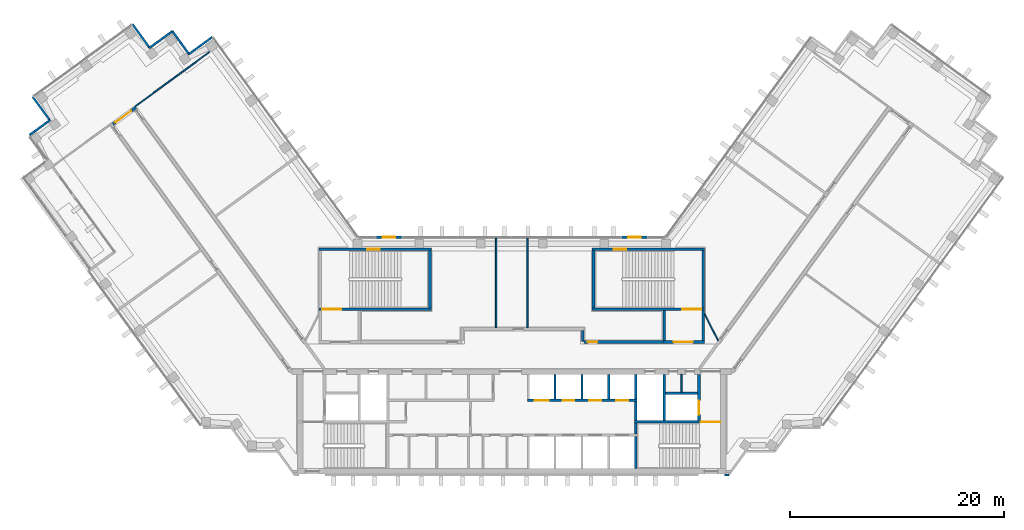
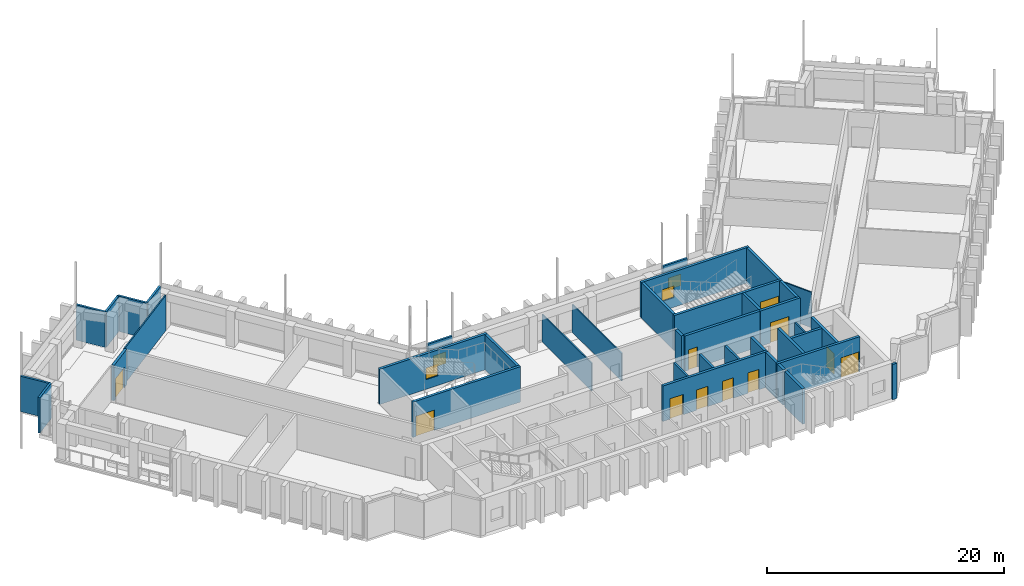
# One storey, part 9 of 13: 39 walls, 11 doors, 4 windows, 15 openings.
"""IFC4 building model written with IfcOpenShell, lengths in metres."""

from ifc_helpers import new_model, si_unit, direction, frame, frame_2d, origin, place, context, subcontext, project, spatial, rectangle, extrude, material, layer, layer_set, type_object, element, fill, save


model = new_model("IFC4")

# Units and contexts
model_context = context("Model", 3, precision=1e-05, world=origin(), true_north=direction((0.0, 1.0)))
body_context = subcontext(model_context, "Body", "Model", "MODEL_VIEW")
ifc_project = project(units=[si_unit("LENGTHUNIT", "METRE"), si_unit("AREAUNIT", "SQUARE_METRE"), si_unit("VOLUMEUNIT", "CUBIC_METRE"), si_unit("PLANEANGLEUNIT", "RADIAN"), si_unit("MASSUNIT", "GRAM", prefix="KILO")], contexts=[model_context])

# Site, building, storey
site_placement = place(None, origin())
site = spatial("IfcSite", under=ifc_project, at=site_placement, CompositionType="ELEMENT")
building_placement = place(site_placement, origin())
building = spatial("IfcBuilding", under=site, at=building_placement, Name="Quipu Civic Tower", CompositionType="ELEMENT")
storey_placement = place(building_placement, frame((0.0, 0.0, 148.0)))
storey = spatial("IfcBuildingStorey", under=building, at=storey_placement, Name="L34", CompositionType="ELEMENT", Elevation=148.0)

# Walls
ifc_material_1 = material(Name="Concrete C70/85", Category="concrete")
ifc_layer_1 = layer(ifc_material_1, 0.25)
ifc_layer_set_1 = layer_set([ifc_layer_1], Name="Concrete C70/85")
wall_type_1 = type_object("IfcWallType", Name="Core wall 250", PredefinedType="SHEAR", material=ifc_layer_set_1)
wall_1_placement = place(storey_placement, frame((11.574951171875, -10.5, 0.0), z_axis=(0.0, 0.0, 1.0), x_axis=(0.0, 1.0, 0.0)))
element("IfcWall", 1, at=wall_1_placement, inside=storey, type_object=wall_type_1, Name="Core wall", PredefinedType="SHEAR", context=body_context, shape_type="SweptSolid", body=[
    extrude(rectangle(XDim=3.0, YDim=0.25, at=frame_2d((1.5, 0.0))), origin(), (0.0, 0.0, 1.0), 3.64990234375),
])
wall_2_placement = place(storey_placement, frame((11.574951171875, -7.25, 0.0), z_axis=(0.0, 0.0, 1.0), x_axis=(0.0, 1.0, 0.0)))
element("IfcWall", 2, at=wall_2_placement, inside=storey, type_object=wall_type_1, Name="Core wall", PredefinedType="SHEAR", context=body_context, shape_type="SweptSolid", body=[
    extrude(rectangle(XDim=1.0, YDim=0.25, at=frame_2d((0.5, 0.0))), origin(), (0.0, 0.0, 1.0), 3.64990234375),
])

# Wall, opening, door
wall_3_placement = place(storey_placement, frame((19.5, -6.125, 0.0), z_axis=(0.0, 0.0, 1.0), x_axis=(-1.0, 0.0, 0.0)))
wall_3 = element("IfcWall", 3, at=wall_3_placement, inside=storey, type_object=wall_type_1, Name="Core wall", PredefinedType="SHEAR", context=body_context, shape_type="SweptSolid", body=[
    extrude(rectangle(XDim=8.050048828125, YDim=0.25, at=frame_2d((4.02490234375, 0.0))), origin(), (0.0, 0.0, 1.0), 3.64990234375),
])
opening_1_placement = place(wall_3_placement, frame((0.050048828125, 0.0, 0.0)))
opening_1 = element("IfcOpeningElement", 4, at=opening_1_placement, cuts=wall_3, Name="Opening CD-08", PredefinedType="OPENING", context=body_context, shape_type="SweptSolid", body=[
    extrude(rectangle(XDim=1.800048828125, YDim=2.10009765625, at=frame_2d((0.89990234375, 1.050048828125))), frame((0.0, 0.135009765625, 0.0), z_axis=(0.0, -1.0, 0.0), x_axis=(1.0, 0.0, 0.0)), (0.0, 0.0, 1.0), 0.27001953125),
])
ifc_material_2 = material(Name="Fire rated steel door", Category="steel")
door_type_1 = type_object("IfcDoorType", Name="Fire door FD90 double 1800 x 2100", OperationType="NOTDEFINED", PredefinedType="DOOR", material=ifc_material_2)
door_1_placement = place(opening_1_placement, origin())
door_1 = element("IfcDoor", 5, at=door_1_placement, inside=storey, type_object=door_type_1, Name="Door", OperationType="DOUBLE_DOOR_SINGLE_SWING", OverallHeight=2.10009765625, OverallWidth=1.800048828125, PredefinedType="DOOR", context=body_context, shape_type="SweptSolid", body=[
    extrude(rectangle(XDim=1.800048828125, YDim=2.10009765625, at=frame_2d((0.89990234375, 1.050048828125))), frame((0.0, 0.02490234375, 0.0), z_axis=(0.0, -1.0, 0.0), x_axis=(1.0, 0.0, 0.0)), (0.0, 0.0, 1.0), 0.050048828125),
])
fill(opening_1, door_1)

# Walls
wall_4_placement = place(storey_placement, frame((11.574951171875, -6.0, 0.0), z_axis=(0.0, 0.0, 1.0), x_axis=(0.0, 1.0, 0.0)))
element("IfcWall", 6, at=wall_4_placement, inside=storey, type_object=wall_type_1, Name="Core wall", PredefinedType="SHEAR", context=body_context, shape_type="SweptSolid", body=[
    extrude(rectangle(XDim=1.75, YDim=0.25, at=frame_2d((0.875, 0.0))), origin(), (0.0, 0.0, 1.0), 3.64990234375),
])
wall_5_placement = place(storey_placement, frame((14.22509765625, -6.0, 0.0), z_axis=(0.0, 0.0, 1.0), x_axis=(0.0, 1.0, 0.0)))
element("IfcWall", 7, at=wall_5_placement, inside=storey, type_object=wall_type_1, Name="Core wall", PredefinedType="SHEAR", context=body_context, shape_type="SweptSolid", body=[
    extrude(rectangle(XDim=4.300048828125, YDim=0.25, at=frame_2d((2.14990234375, 0.0))), origin(), (0.0, 0.0, 1.0), 3.64990234375),
])

# Wall, opening, door
wall_6_placement = place(storey_placement, frame((17.47509765625, -6.0, 0.0), z_axis=(0.0, 0.0, 1.0), x_axis=(0.0, 1.0, 0.0)))
wall_6 = element("IfcWall", 8, at=wall_6_placement, inside=storey, type_object=wall_type_1, Name="Core wall", PredefinedType="SHEAR", context=body_context, shape_type="SweptSolid", body=[
    extrude(rectangle(XDim=4.300048828125, YDim=0.25, at=frame_2d((2.14990234375, 0.0))), origin(), (0.0, 0.0, 1.0), 3.64990234375),
])
opening_2_placement = place(wall_6_placement, frame((0.550048828125, 0.0, 0.0)))
opening_2 = element("IfcOpeningElement", 9, at=opening_2_placement, cuts=wall_6, Name="Opening LD-FF2", PredefinedType="OPENING", context=body_context, shape_type="SweptSolid", body=[
    extrude(rectangle(XDim=1.300048828125, YDim=2.10009765625, at=frame_2d((0.64990234375, 1.050048828125))), frame((0.0, 0.135009765625, 0.0), z_axis=(0.0, -1.0, 0.0), x_axis=(1.0, 0.0, 0.0)), (0.0, 0.0, 1.0), 0.27001953125),
])
ifc_material_3 = material(Name="Stainless steel", Category="steel")
door_type_2 = type_object("IfcDoorType", Name="Lift landing door 1300 x 2100", OperationType="DOUBLE_DOOR_SLIDING", PredefinedType="DOOR", material=ifc_material_3)
door_2_placement = place(opening_2_placement, origin())
door_2 = element("IfcDoor", 10, at=door_2_placement, inside=storey, type_object=door_type_2, Name="Landing door FF2", OperationType="DOUBLE_DOOR_SLIDING", OverallHeight=2.10009765625, OverallWidth=1.300048828125, PredefinedType="DOOR", context=body_context, shape_type="SweptSolid", body=[
    extrude(rectangle(XDim=1.300048828125, YDim=2.10009765625, at=frame_2d((0.64990234375, 1.050048828125))), frame((0.0, 0.02490234375, 0.0), z_axis=(0.0, -1.0, 0.0), x_axis=(1.0, 0.0, 0.0)), (0.0, 0.0, 1.0), 0.050048828125),
])
fill(opening_2, door_2)

# Wall, openings, doors
wall_7_placement = place(storey_placement, frame((1.449951171875, -4.125, 0.0), z_axis=(0.0, 0.0, 1.0), x_axis=(1.0, 0.0, 0.0)))
wall_7 = element("IfcWall", 11, at=wall_7_placement, inside=storey, type_object=wall_type_1, Name="Core wall", PredefinedType="SHEAR", context=body_context, shape_type="SweptSolid", body=[
    extrude(rectangle(XDim=10.25, YDim=0.25, at=frame_2d((5.125, 0.0))), origin(), (0.0, 0.0, 1.0), 3.64990234375),
])
opening_3_placement = place(wall_7_placement, frame((0.699951171875, 0.0, 0.0)))
opening_3 = element("IfcOpeningElement", 12, at=opening_3_placement, cuts=wall_7, Name="Opening LD-FF3", PredefinedType="OPENING", context=body_context, shape_type="SweptSolid", body=[
    extrude(rectangle(XDim=1.300048828125, YDim=2.10009765625, at=frame_2d((0.64990234375, 1.050048828125))), frame((0.0, 0.135009765625, 0.0), z_axis=(0.0, -1.0, 0.0), x_axis=(1.0, 0.0, 0.0)), (0.0, 0.0, 1.0), 0.27001953125),
])
opening_4_placement = place(wall_7_placement, frame((3.300048828125, 0.0, 0.0)))
opening_4 = element("IfcOpeningElement", 13, at=opening_4_placement, cuts=wall_7, Name="Opening LD-ML5", PredefinedType="OPENING", context=body_context, shape_type="SweptSolid", body=[
    extrude(rectangle(XDim=1.10009765625, YDim=2.10009765625, at=frame_2d((0.550048828125, 1.050048828125))), frame((0.0, 0.135009765625, 0.0), z_axis=(0.0, -1.0, 0.0), x_axis=(1.0, 0.0, 0.0)), (0.0, 0.0, 1.0), 0.27001953125),
])
opening_5_placement = place(wall_7_placement, frame((5.800048828125, 0.0, 0.0)))
opening_5 = element("IfcOpeningElement", 14, at=opening_5_placement, cuts=wall_7, Name="Opening LD-ML6", PredefinedType="OPENING", context=body_context, shape_type="SweptSolid", body=[
    extrude(rectangle(XDim=1.10009765625, YDim=2.10009765625, at=frame_2d((0.550048828125, 1.050048828125))), frame((0.0, 0.135009765625, 0.0), z_axis=(0.0, -1.0, 0.0), x_axis=(1.0, 0.0, 0.0)), (0.0, 0.0, 1.0), 0.27001953125),
])
opening_6_placement = place(wall_7_placement, frame((8.300048828125, 0.0, 0.0)))
opening_6 = element("IfcOpeningElement", 15, at=opening_6_placement, cuts=wall_7, Name="Opening LD-ML7", PredefinedType="OPENING", context=body_context, shape_type="SweptSolid", body=[
    extrude(rectangle(XDim=1.10009765625, YDim=2.10009765625, at=frame_2d((0.550048828125, 1.050048828125))), frame((0.0, 0.135009765625, 0.0), z_axis=(0.0, -1.0, 0.0), x_axis=(1.0, 0.0, 0.0)), (0.0, 0.0, 1.0), 0.27001953125),
])
ifc_material_4 = material(Name="Stainless steel", Category="steel")
door_type_3 = type_object("IfcDoorType", Name="Lift landing door 1100 x 2100", OperationType="DOUBLE_DOOR_SLIDING", PredefinedType="DOOR", material=ifc_material_4)
door_3_placement = place(opening_4_placement, origin())
door_3 = element("IfcDoor", 16, at=door_3_placement, inside=storey, type_object=door_type_3, Name="Landing door ML5", OperationType="DOUBLE_DOOR_SLIDING", OverallHeight=2.10009765625, OverallWidth=1.10009765625, PredefinedType="DOOR", context=body_context, shape_type="SweptSolid", body=[
    extrude(rectangle(XDim=1.10009765625, YDim=2.10009765625, at=frame_2d((0.550048828125, 1.050048828125))), frame((0.0, 0.02490234375, 0.0), z_axis=(0.0, -1.0, 0.0), x_axis=(1.0, 0.0, 0.0)), (0.0, 0.0, 1.0), 0.050048828125),
])
fill(opening_4, door_3)
door_4_placement = place(opening_5_placement, origin())
door_4 = element("IfcDoor", 17, at=door_4_placement, inside=storey, type_object=door_type_3, Name="Landing door ML6", OperationType="DOUBLE_DOOR_SLIDING", OverallHeight=2.10009765625, OverallWidth=1.10009765625, PredefinedType="DOOR", context=body_context, shape_type="SweptSolid", body=[
    extrude(rectangle(XDim=1.10009765625, YDim=2.10009765625, at=frame_2d((0.550048828125, 1.050048828125))), frame((0.0, 0.02490234375, 0.0), z_axis=(0.0, -1.0, 0.0), x_axis=(1.0, 0.0, 0.0)), (0.0, 0.0, 1.0), 0.050048828125),
])
fill(opening_5, door_4)
door_5_placement = place(opening_6_placement, origin())
door_5 = element("IfcDoor", 18, at=door_5_placement, inside=storey, type_object=door_type_3, Name="Landing door ML7", OperationType="DOUBLE_DOOR_SLIDING", OverallHeight=2.10009765625, OverallWidth=1.10009765625, PredefinedType="DOOR", context=body_context, shape_type="SweptSolid", body=[
    extrude(rectangle(XDim=1.10009765625, YDim=2.10009765625, at=frame_2d((0.550048828125, 1.050048828125))), frame((0.0, 0.02490234375, 0.0), z_axis=(0.0, -1.0, 0.0), x_axis=(1.0, 0.0, 0.0)), (0.0, 0.0, 1.0), 0.050048828125),
])
fill(opening_6, door_5)
door_6_placement = place(opening_3_placement, origin())
door_6 = element("IfcDoor", 19, at=door_6_placement, inside=storey, type_object=door_type_2, Name="Landing door FF3", OperationType="DOUBLE_DOOR_SLIDING", OverallHeight=2.10009765625, OverallWidth=1.300048828125, PredefinedType="DOOR", context=body_context, shape_type="SweptSolid", body=[
    extrude(rectangle(XDim=1.300048828125, YDim=2.10009765625, at=frame_2d((0.64990234375, 1.050048828125))), frame((0.0, 0.02490234375, 0.0), z_axis=(0.0, -1.0, 0.0), x_axis=(1.0, 0.0, 0.0)), (0.0, 0.0, 1.0), 0.050048828125),
])
fill(opening_3, door_6)

# Walls
wall_8_placement = place(storey_placement, frame((11.574951171875, -4.0, 0.0), z_axis=(0.0, 0.0, 1.0), x_axis=(0.0, 1.0, 0.0)))
element("IfcWall", 20, at=wall_8_placement, inside=storey, type_object=wall_type_1, Name="Core wall", PredefinedType="SHEAR", context=body_context, shape_type="SweptSolid", body=[
    extrude(rectangle(XDim=2.300048828125, YDim=0.25, at=frame_2d((1.14990234375, 0.0))), origin(), (0.0, 0.0, 1.0), 3.64990234375),
])
wall_9_placement = place(storey_placement, frame((14.35009765625, -3.47509765625, 0.0), z_axis=(0.0, 0.0, 1.0), x_axis=(1.0, 0.0, 0.0)))
element("IfcWall", 21, at=wall_9_placement, inside=storey, type_object=wall_type_1, Name="Core wall", PredefinedType="SHEAR", context=body_context, shape_type="SweptSolid", body=[
    extrude(rectangle(XDim=3.0, YDim=0.25, at=frame_2d((1.5, 0.0))), origin(), (0.0, 0.0, 1.0), 3.64990234375),
])

# Wall, opening, door
wall_10_placement = place(storey_placement, frame((-18.0, 4.375, 0.0), z_axis=(0.0, 0.0, 1.0), x_axis=(1.0, 0.0, 0.0)))
wall_10 = element("IfcWall", 22, at=wall_10_placement, inside=storey, type_object=wall_type_1, Name="Core wall", PredefinedType="SHEAR", context=body_context, shape_type="SweptSolid", body=[
    extrude(rectangle(XDim=10.5, YDim=0.25, at=frame_2d((5.25, 0.0))), origin(), (0.0, 0.0, 1.0), 3.64990234375),
])
opening_7_placement = place(wall_10_placement, frame((0.300048828125, 0.0, 0.0)))
opening_7 = element("IfcOpeningElement", 23, at=opening_7_placement, cuts=wall_10, Name="Opening CD-23", PredefinedType="OPENING", context=body_context, shape_type="SweptSolid", body=[
    extrude(rectangle(XDim=1.800048828125, YDim=2.10009765625, at=frame_2d((0.89990234375, 1.050048828125))), frame((0.0, 0.135009765625, 0.0), z_axis=(0.0, -1.0, 0.0), x_axis=(1.0, 0.0, 0.0)), (0.0, 0.0, 1.0), 0.27001953125),
])
door_7_placement = place(opening_7_placement, origin())
door_7 = element("IfcDoor", 24, at=door_7_placement, inside=storey, type_object=door_type_1, Name="Door", OperationType="DOUBLE_DOOR_SINGLE_SWING", OverallHeight=2.10009765625, OverallWidth=1.800048828125, PredefinedType="DOOR", context=body_context, shape_type="SweptSolid", body=[
    extrude(rectangle(XDim=1.800048828125, YDim=2.10009765625, at=frame_2d((0.89990234375, 1.050048828125))), frame((0.0, 0.02490234375, 0.0), z_axis=(0.0, -1.0, 0.0), x_axis=(1.0, 0.0, 0.0)), (0.0, 0.0, 1.0), 0.050048828125),
])
fill(opening_7, door_7)

# Wall
wall_11_placement = place(storey_placement, frame((-7.625, 4.5, 0.0), z_axis=(0.0, 0.0, 1.0), x_axis=(0.0, 1.0, 0.0)))
element("IfcWall", 25, at=wall_11_placement, inside=storey, type_object=wall_type_1, Name="Core wall", PredefinedType="SHEAR", context=body_context, shape_type="SweptSolid", body=[
    extrude(rectangle(XDim=5.35009765625, YDim=0.25, at=frame_2d((2.675048828125, 0.0))), origin(), (0.0, 0.0, 1.0), 3.64990234375),
])

# Wall, opening, window
wall_12_placement = place(storey_placement, frame((-18.0, 9.97509765625, 0.0), z_axis=(0.0, 0.0, 1.0), x_axis=(1.0, 0.0, 0.0)))
wall_12 = element("IfcWall", 26, at=wall_12_placement, inside=storey, type_object=wall_type_1, Name="Core wall", PredefinedType="SHEAR", context=body_context, shape_type="SweptSolid", body=[
    extrude(rectangle(XDim=10.5, YDim=0.25, at=frame_2d((5.25, 0.0))), origin(), (0.0, 0.0, 1.0), 3.64990234375),
])
opening_8_placement = place(wall_12_placement, frame((4.5, 0.0, 1.0)))
opening_8 = element("IfcOpeningElement", 27, at=opening_8_placement, cuts=wall_12, Name="Opening SV-3", PredefinedType="OPENING", context=body_context, shape_type="SweptSolid", body=[
    extrude(rectangle(XDim=1.199951171875, YDim=1.199951171875, at=frame_2d((0.60009765625, 0.60009765625))), frame((0.0, 0.135009765625, 0.0), z_axis=(0.0, -1.0, 0.0), x_axis=(1.0, 0.0, 0.0)), (0.0, 0.0, 1.0), 0.27001953125),
])
ifc_material_5 = material(Name="Aluminium louvre", Category="aluminium")
window_type_1 = type_object("IfcWindowType", Name="Stair ventilation louvre 1200 x 1200", PartitioningType="SINGLE_PANEL", PredefinedType="WINDOW", material=ifc_material_5)
window_1_placement = place(opening_8_placement, origin())
window_1 = element("IfcWindow", 28, at=window_1_placement, inside=storey, type_object=window_type_1, Name="Stair ventilation opening", OverallHeight=1.199951171875, OverallWidth=1.199951171875, PartitioningType="SINGLE_PANEL", PredefinedType="WINDOW", context=body_context, shape_type="SweptSolid", body=[
    extrude(rectangle(XDim=1.199951171875, YDim=1.199951171875, at=frame_2d((0.60009765625, 0.60009765625))), frame((0.0, 0.030029296875, 0.0), z_axis=(0.0, -1.0, 0.0), x_axis=(1.0, 0.0, 0.0)), (0.0, 0.0, 1.0), 0.06005859375),
])
fill(opening_8, window_1)

# Wall, opening, door
wall_13_placement = place(storey_placement, frame((14.10009765625, 1.324951171875, 0.0), z_axis=(0.0, 0.0, 1.0), x_axis=(1.0, 0.0, 0.0)))
wall_13 = element("IfcWall", 29, at=wall_13_placement, inside=storey, type_object=wall_type_1, Name="Core wall", PredefinedType="SHEAR", context=body_context, shape_type="SweptSolid", body=[
    extrude(rectangle(XDim=3.89990234375, YDim=0.25, at=frame_2d((1.949951171875, 0.0))), origin(), (0.0, 0.0, 1.0), 3.64990234375),
])
opening_9_placement = place(wall_13_placement, frame((1.0, 0.0, 0.0)))
opening_9 = element("IfcOpeningElement", 30, at=opening_9_placement, cuts=wall_13, Name="Opening CD-24", PredefinedType="OPENING", context=body_context, shape_type="SweptSolid", body=[
    extrude(rectangle(XDim=1.800048828125, YDim=2.10009765625, at=frame_2d((0.89990234375, 1.050048828125))), frame((0.0, 0.135009765625, 0.0), z_axis=(0.0, -1.0, 0.0), x_axis=(1.0, 0.0, 0.0)), (0.0, 0.0, 1.0), 0.27001953125),
])
door_8_placement = place(opening_9_placement, origin())
door_8 = element("IfcDoor", 31, at=door_8_placement, inside=storey, type_object=door_type_1, Name="Lobby door", OperationType="DOUBLE_DOOR_SINGLE_SWING", OverallHeight=2.10009765625, OverallWidth=1.800048828125, PredefinedType="DOOR", context=body_context, shape_type="SweptSolid", body=[
    extrude(rectangle(XDim=1.800048828125, YDim=2.10009765625, at=frame_2d((0.89990234375, 1.050048828125))), frame((0.0, 0.02490234375, 0.0), z_axis=(0.0, -1.0, 0.0), x_axis=(1.0, 0.0, 0.0)), (0.0, 0.0, 1.0), 0.050048828125),
])
fill(opening_9, door_8)

# Walls
for number, where, z_axis, x_axis, name in (
    (32, (14.22509765625, 1.449951171875, 0.0), (0.0, 0.0, 1.0), (0.0, 1.0, 0.0), "Core wall"),
    (33, (17.875, 1.449951171875, 0.0), (0.0, 0.0, 1.0), (0.0, 1.0, 0.0), "Core wall"),
):
    element("IfcWall", number, at=place(storey_placement, frame(where, z_axis=z_axis, x_axis=x_axis)), inside=storey, type_object=wall_type_1, Name=name, PredefinedType="SHEAR", context=body_context, shape_type="SweptSolid", body=[
        extrude(rectangle(XDim=2.800048828125, YDim=0.25, at=frame_2d((1.39990234375, 0.0))), origin(), (0.0, 0.0, 1.0), 3.64990234375),
    ])

# Wall, opening, door
wall_14_placement = place(storey_placement, frame((7.5, 4.375, 0.0), z_axis=(0.0, 0.0, 1.0), x_axis=(1.0, 0.0, 0.0)))
wall_14 = element("IfcWall", 34, at=wall_14_placement, inside=storey, type_object=wall_type_1, Name="Core wall", PredefinedType="SHEAR", context=body_context, shape_type="SweptSolid", body=[
    extrude(rectangle(XDim=10.5, YDim=0.25, at=frame_2d((5.25, 0.0))), origin(), (0.0, 0.0, 1.0), 3.64990234375),
])
opening_10_placement = place(wall_14_placement, frame((8.39990234375, 0.0, 0.0)))
opening_10 = element("IfcOpeningElement", 35, at=opening_10_placement, cuts=wall_14, Name="Opening CD-25", PredefinedType="OPENING", context=body_context, shape_type="SweptSolid", body=[
    extrude(rectangle(XDim=1.800048828125, YDim=2.10009765625, at=frame_2d((0.89990234375, 1.050048828125))), frame((0.0, 0.135009765625, 0.0), z_axis=(0.0, -1.0, 0.0), x_axis=(1.0, 0.0, 0.0)), (0.0, 0.0, 1.0), 0.27001953125),
])
door_9_placement = place(opening_10_placement, origin())
door_9 = element("IfcDoor", 36, at=door_9_placement, inside=storey, type_object=door_type_1, Name="Door", OperationType="DOUBLE_DOOR_SINGLE_SWING", OverallHeight=2.10009765625, OverallWidth=1.800048828125, PredefinedType="DOOR", context=body_context, shape_type="SweptSolid", body=[
    extrude(rectangle(XDim=1.800048828125, YDim=2.10009765625, at=frame_2d((0.89990234375, 1.050048828125))), frame((0.0, 0.02490234375, 0.0), z_axis=(0.0, -1.0, 0.0), x_axis=(1.0, 0.0, 0.0)), (0.0, 0.0, 1.0), 0.050048828125),
])
fill(opening_10, door_9)

# Walls
for number, where, z_axis, x_axis, name in (
    (37, (7.625, 4.5, 0.0), (0.0, 0.0, 1.0), (0.0, 1.0, 0.0), "Core wall"),
    (38, (17.875, 4.5, 0.0), (0.0, 0.0, 1.0), (0.0, 1.0, 0.0), "Core wall"),
):
    element("IfcWall", number, at=place(storey_placement, frame(where, z_axis=z_axis, x_axis=x_axis)), inside=storey, type_object=wall_type_1, Name=name, PredefinedType="SHEAR", context=body_context, shape_type="SweptSolid", body=[
        extrude(rectangle(XDim=5.35009765625, YDim=0.25, at=frame_2d((2.675048828125, 0.0))), origin(), (0.0, 0.0, 1.0), 3.64990234375),
    ])

# Wall, opening, window
wall_15_placement = place(storey_placement, frame((7.5, 9.97509765625, 0.0), z_axis=(0.0, 0.0, 1.0), x_axis=(1.0, 0.0, 0.0)))
wall_15 = element("IfcWall", 39, at=wall_15_placement, inside=storey, type_object=wall_type_1, Name="Core wall", PredefinedType="SHEAR", context=body_context, shape_type="SweptSolid", body=[
    extrude(rectangle(XDim=10.5, YDim=0.25, at=frame_2d((5.25, 0.0))), origin(), (0.0, 0.0, 1.0), 3.64990234375),
])
opening_11_placement = place(wall_15_placement, frame((2.0, 0.0, 1.0)))
opening_11 = element("IfcOpeningElement", 40, at=opening_11_placement, cuts=wall_15, Name="Opening SV-4", PredefinedType="OPENING", context=body_context, shape_type="SweptSolid", body=[
    extrude(rectangle(XDim=1.199951171875, YDim=1.199951171875, at=frame_2d((0.60009765625, 0.60009765625))), frame((0.0, 0.135009765625, 0.0), z_axis=(0.0, -1.0, 0.0), x_axis=(1.0, 0.0, 0.0)), (0.0, 0.0, 1.0), 0.27001953125),
])
window_2_placement = place(opening_11_placement, origin())
window_2 = element("IfcWindow", 41, at=window_2_placement, inside=storey, type_object=window_type_1, Name="Stair ventilation opening", OverallHeight=1.199951171875, OverallWidth=1.199951171875, PartitioningType="SINGLE_PANEL", PredefinedType="WINDOW", context=body_context, shape_type="SweptSolid", body=[
    extrude(rectangle(XDim=1.199951171875, YDim=1.199951171875, at=frame_2d((0.60009765625, 0.60009765625))), frame((0.0, 0.030029296875, 0.0), z_axis=(0.0, -1.0, 0.0), x_axis=(1.0, 0.0, 0.0)), (0.0, 0.0, 1.0), 0.06005859375),
])
fill(opening_11, window_2)

# Wall, opening, door
ifc_material_6 = material(Name="Concrete C50/60", Category="concrete")
ifc_layer_2 = layer(ifc_material_6, 0.25)
ifc_layer_set_2 = layer_set([ifc_layer_2], Name="Concrete C50/60")
wall_type_2 = type_object("IfcWallType", Name="Corridor wall 250 concrete", PredefinedType="SOLIDWALL", material=ifc_layer_set_2)
wall_16_placement = place(storey_placement, frame((-37.20849609375, 21.643798828125, 0.0), z_axis=(0.0, 0.0, 1.0), x_axis=(0.809038743598, 0.587755315891, 0.0)))
wall_16 = element("IfcWall", 42, at=wall_16_placement, inside=storey, type_object=wall_type_2, Name="Corridor wall C05", PredefinedType="SOLIDWALL", context=body_context, shape_type="SweptSolid", body=[
    extrude(rectangle(XDim=2.650146484375, YDim=0.25, at=frame_2d((1.3251953125, 0.0))), origin(), (0.0, 0.0, 1.0), 3.64990234375),
])
opening_12_placement = place(wall_16_placement, frame((0.2998046875, 0.0, 0.0)))
opening_12 = element("IfcOpeningElement", 43, at=opening_12_placement, cuts=wall_16, Name="Opening D016", PredefinedType="OPENING", context=body_context, shape_type="SweptSolid", body=[
    extrude(rectangle(XDim=1.800048828125, YDim=2.10009765625, at=frame_2d((0.89990234375, 1.050048828125))), frame((0.0, 0.135009765625, 0.0), z_axis=(0.0, -1.0, 0.0), x_axis=(1.0, 0.0, 0.0)), (0.0, 0.0, 1.0), 0.27001953125),
])
ifc_material_7 = material(Name="Fire rated timber door set with metal frame", Category="wood")
door_type_4 = type_object("IfcDoorType", Name="Double door 1800 x 2100 FD60", OperationType="DOUBLE_DOOR_SINGLE_SWING", PredefinedType="DOOR", material=ifc_material_7)
door_10_placement = place(opening_12_placement, origin())
door_10 = element("IfcDoor", 44, at=door_10_placement, inside=storey, type_object=door_type_4, Name="Door D016", OperationType="DOUBLE_DOOR_SINGLE_SWING", OverallHeight=2.10009765625, OverallWidth=1.800048828125, PredefinedType="DOOR", context=body_context, shape_type="SweptSolid", body=[
    extrude(rectangle(XDim=1.800048828125, YDim=2.10009765625, at=frame_2d((0.89990234375, 1.050048828125))), frame((0.0, 0.02490234375, 0.0), z_axis=(0.0, -1.0, 0.0), x_axis=(1.0, 0.0, 0.0)), (0.0, 0.0, 1.0), 0.050048828125),
])
fill(opening_12, door_10)

# Wall
wall_17_placement = place(storey_placement, frame((6.625, 2.39990234375, 0.0), z_axis=(0.0, 0.0, 1.0), x_axis=(0.0, -1.0, 0.0)))
element("IfcWall", 45, at=wall_17_placement, inside=storey, type_object=wall_type_2, Name="Corridor wall C10", PredefinedType="SOLIDWALL", context=body_context, shape_type="SweptSolid", body=[
    extrude(rectangle(XDim=1.041259765625, YDim=0.25, at=frame_2d((0.5205078125, 0.0))), origin(), (0.0, 0.0, 1.0), 3.64990234375),
])

# Wall, opening, door
wall_18_placement = place(storey_placement, frame((6.753662109375, 1.324951171875, 0.0), z_axis=(0.0, 0.0, 1.0), x_axis=(1.0, 0.0, 0.0)))
wall_18 = element("IfcWall", 46, at=wall_18_placement, inside=storey, type_object=wall_type_2, Name="Corridor wall C11", PredefinedType="SOLIDWALL", context=body_context, shape_type="SweptSolid", body=[
    extrude(rectangle(XDim=7.33642578125, YDim=0.25, at=frame_2d((3.668212890625, 0.0))), origin(), (0.0, 0.0, 1.0), 3.64990234375),
])
opening_13_placement = place(wall_18_placement, frame((0.34619140625, 0.0, 0.0)))
opening_13 = element("IfcOpeningElement", 47, at=opening_13_placement, cuts=wall_18, Name="Opening D010", PredefinedType="OPENING", context=body_context, shape_type="SweptSolid", body=[
    extrude(rectangle(XDim=0.89990234375, YDim=2.10009765625, at=frame_2d((0.449951171875, 1.050048828125))), frame((0.0, 0.135009765625, 0.0), z_axis=(0.0, -1.0, 0.0), x_axis=(1.0, 0.0, 0.0)), (0.0, 0.0, 1.0), 0.27001953125),
])
ifc_material_8 = material(Name="Fire rated timber door set with metal frame", Category="wood")
door_type_5 = type_object("IfcDoorType", Name="Single door 900 x 2100 FD60", OperationType="NOTDEFINED", PredefinedType="DOOR", material=ifc_material_8)
door_11_placement = place(opening_13_placement, origin())
door_11 = element("IfcDoor", 48, at=door_11_placement, inside=storey, type_object=door_type_5, Name="Door D010", OperationType="SINGLE_SWING_LEFT", OverallHeight=2.10009765625, OverallWidth=0.89990234375, PredefinedType="DOOR", context=body_context, shape_type="SweptSolid", body=[
    extrude(rectangle(XDim=0.89990234375, YDim=2.10009765625, at=frame_2d((0.449951171875, 1.050048828125))), frame((0.0, 0.02490234375, 0.0), z_axis=(0.0, -1.0, 0.0), x_axis=(1.0, 0.0, 0.0)), (0.0, 0.0, 1.0), 0.050048828125),
])
fill(opening_13, door_11)

# Walls
ifc_material_9 = material(Name="Gypsum plasterboard on light gauge framing")
ifc_layer_3 = layer(ifc_material_9, 0.1201171875)
ifc_layer_set_3 = layer_set([ifc_layer_3], Name="Gypsum plasterboard on light gauge framing")
wall_type_3 = type_object("IfcWallType", Name="Partition 120 plasterboard", PredefinedType="PARTITIONING", material=ifc_layer_set_3)
wall_19_placement = place(storey_placement, frame((-35.15380859375, 23.291015625, 0.0), z_axis=(0.0, 0.0, 1.0), x_axis=(0.807000694978, 0.590550487516, 0.0)))
element("IfcWall", 49, at=wall_19_placement, inside=storey, type_object=wall_type_3, Name="Partition P01", PredefinedType="PARTITIONING", context=body_context, shape_type="SweptSolid", body=[
    extrude(rectangle(XDim=8.61962890625, YDim=0.1201171875, at=frame_2d((4.309814453125, 0.0))), origin(), (0.0, 0.0, 1.0), 3.64990234375),
])
for number, where, z_axis, x_axis, name in (
    (50, (-1.458984375, 2.64990234375, 0.0), (0.0, 0.0, 1.0), (0.0, 1.0, 0.0), "Partition P07"),
    (51, (1.458984375, 11.0, 0.0), (0.0, 0.0, 1.0), (0.0, -1.0, 0.0), "Partition P13"),
):
    element("IfcWall", number, at=place(storey_placement, frame(where, z_axis=z_axis, x_axis=x_axis)), inside=storey, type_object=wall_type_3, Name=name, PredefinedType="PARTITIONING", context=body_context, shape_type="SweptSolid", body=[
        extrude(rectangle(XDim=8.35009765625, YDim=0.1201171875, at=frame_2d((4.175048828125, 0.0))), origin(), (0.0, 0.0, 1.0), 2.85009765625),
    ])
wall_20_placement = place(storey_placement, frame((18.0, 3.925048828125, 0.0), z_axis=(0.0, 0.0, 1.0), x_axis=(0.453950796792, -0.891026752736, 0.0)))
element("IfcWall", 52, at=wall_20_placement, inside=storey, type_object=wall_type_3, Name="Partition P14", PredefinedType="PARTITIONING", context=body_context, shape_type="SweptSolid", body=[
    extrude(rectangle(XDim=2.77783203125, YDim=0.1201171875, at=frame_2d((1.388916015625, 0.0))), origin(), (0.0, 0.0, 1.0), 3.64990234375),
])
ifc_material_10 = material(Name="Gypsum board partition")
ifc_layer_4 = layer(ifc_material_10, 0.14990234375)
ifc_layer_set_4 = layer_set([ifc_layer_4], Name="Gypsum board partition")
wall_type_4 = type_object("IfcWallType", Name="Partition 150", PredefinedType="PARTITIONING", material=ifc_layer_set_4)
wall_21_placement = place(storey_placement, frame((15.85009765625, -3.35009765625, 0.0), z_axis=(0.0, 0.0, 1.0), x_axis=(0.0, 1.0, 0.0)))
element("IfcWall", 53, at=wall_21_placement, inside=storey, type_object=wall_type_4, Name="Partition", PredefinedType="PARTITIONING", context=body_context, shape_type="SweptSolid", body=[
    extrude(rectangle(XDim=1.650146484375, YDim=0.14990234375, at=frame_2d((0.8251953125, 0.0))), origin(), (0.0, 0.0, 1.0), 3.64990234375),
])
ifc_material_11 = material(Name="Precast concrete C40/50", Category="concrete")
wall_type_5 = type_object("IfcWallType", Name="Precast cladding wall", PredefinedType="SOLIDWALL", material=ifc_material_11)
wall_22_placement = place(storey_placement, frame((-43.060791015625, 22.04296875, 0.0), z_axis=(0.0, 0.0, 1.0), x_axis=(-0.809026317077, -0.587772420479, 0.0)))
element("IfcWall", 54, at=wall_22_placement, inside=storey, type_object=wall_type_5, Name="Precast cladding wall L34 1", PredefinedType="SOLIDWALL", context=body_context, shape_type="SweptSolid", body=[
    extrude(rectangle(XDim=2.39990234375, YDim=0.199951171875, at=frame_2d((1.199951171875, 0.0))), origin(), (0.0, 0.0, 1.0), 3.64990234375),
])
wall_23_placement = place(storey_placement, frame((19.85009765625, -11.087890625, 0.0), z_axis=(0.0, 0.0, 1.0), x_axis=(1.0, 0.0, 0.0)))
element("IfcWall", 55, at=wall_23_placement, inside=storey, type_object=wall_type_5, Name="Precast cladding wall L34 P08", PredefinedType="SOLIDWALL", context=body_context, shape_type="SweptSolid", body=[
    extrude(rectangle(XDim=0.40576171875, YDim=0.199951171875, at=frame_2d((0.202880859375, 0.0))), origin(), (0.0, 0.0, 1.0), 3.64990234375),
])

# Wall, opening, window
wall_24_placement = place(storey_placement, frame((12.655029296875, 11.10009765625, 0.0), z_axis=(0.0, 0.0, 1.0), x_axis=(-1.0, 0.0, 0.0)))
wall_24 = element("IfcWall", 56, at=wall_24_placement, inside=storey, type_object=wall_type_5, Name="Vent surround SF-L33-2", PredefinedType="SOLIDWALL", context=body_context, shape_type="SweptSolid", body=[
    extrude(rectangle(XDim=2.3916015625, YDim=0.199951171875, at=frame_2d((1.19580078125, 0.0))), origin(), (0.0, 0.0, 1.0), 3.64990234375),
])
opening_14_placement = place(wall_24_placement, frame((0.595703125, 0.0, 1.0)))
opening_14 = element("IfcOpeningElement", 57, at=opening_14_placement, cuts=wall_24, Name="Opening SF-L33-2", PredefinedType="OPENING", context=body_context, shape_type="SweptSolid", body=[
    extrude(rectangle(XDim=1.199951171875, YDim=1.199951171875, at=frame_2d((0.60009765625, 0.60009765625))), frame((0.0, 0.10986328125, 0.0), z_axis=(0.0, -1.0, 0.0), x_axis=(1.0, 0.0, 0.0)), (0.0, 0.0, 1.0), 0.219970703125),
])
ifc_material_12 = material(Name="Anodised aluminium louvre", Category="aluminium")
window_type_2 = type_object("IfcWindowType", Name="Stair vent louvre window P3", PartitioningType="SINGLE_PANEL", PredefinedType="WINDOW", material=ifc_material_12)
window_3_placement = place(opening_14_placement, origin())
window_3 = element("IfcWindow", 58, at=window_3_placement, inside=storey, type_object=window_type_2, Name="Stair vent louvre SF-L33-2", OverallHeight=1.199951171875, OverallWidth=1.199951171875, PartitioningType="SINGLE_PANEL", PredefinedType="WINDOW", context=body_context, shape_type="SweptSolid", body=[
    extrude(rectangle(XDim=1.199951171875, YDim=1.199951171875, at=frame_2d((0.60009765625, 0.60009765625))), frame((0.0, 0.030029296875, 0.0), z_axis=(0.0, -1.0, 0.0), x_axis=(1.0, 0.0, 0.0)), (0.0, 0.0, 1.0), 0.06005859375),
])
fill(opening_14, window_3)

wall_25_placement = place(storey_placement, frame((-10.263427734375, 11.10009765625, 0.0), z_axis=(0.0, 0.0, 1.0), x_axis=(-1.0, 0.0, 0.0)))
wall_25 = element("IfcWall", 59, at=wall_25_placement, inside=storey, type_object=wall_type_5, Name="Vent surround SF-L33-1", PredefinedType="SOLIDWALL", context=body_context, shape_type="SweptSolid", body=[
    extrude(rectangle(XDim=2.3916015625, YDim=0.199951171875, at=frame_2d((1.19580078125, 0.0))), origin(), (0.0, 0.0, 1.0), 3.64990234375),
])
opening_15_placement = place(wall_25_placement, frame((0.595703125, 0.0, 1.0)))
opening_15 = element("IfcOpeningElement", 60, at=opening_15_placement, cuts=wall_25, Name="Opening SF-L33-1", PredefinedType="OPENING", context=body_context, shape_type="SweptSolid", body=[
    extrude(rectangle(XDim=1.199951171875, YDim=1.199951171875, at=frame_2d((0.60009765625, 0.60009765625))), frame((0.0, 0.10986328125, 0.0), z_axis=(0.0, -1.0, 0.0), x_axis=(1.0, 0.0, 0.0)), (0.0, 0.0, 1.0), 0.219970703125),
])
window_4_placement = place(opening_15_placement, origin())
window_4 = element("IfcWindow", 61, at=window_4_placement, inside=storey, type_object=window_type_2, Name="Stair vent louvre SF-L33-1", OverallHeight=1.199951171875, OverallWidth=1.199951171875, PartitioningType="SINGLE_PANEL", PredefinedType="WINDOW", context=body_context, shape_type="SweptSolid", body=[
    extrude(rectangle(XDim=1.199951171875, YDim=1.199951171875, at=frame_2d((0.60009765625, 0.60009765625))), frame((0.0, 0.030029296875, 0.0), z_axis=(0.0, -1.0, 0.0), x_axis=(1.0, 0.0, 0.0)), (0.0, 0.0, 1.0), 0.06005859375),
])
fill(opening_15, window_4)

# Walls
for number, where, z_axis, x_axis, name in (
    (62, (-27.92138671875, 29.787109375, 0.0), (0.0, 0.0, 1.0), (-0.809033161865, -0.587762999008, 0.0), "Precast cladding wall L34 P30"),
    (63, (-30.08349609375, 28.149169921875, 0.0), (0.0, 0.0, 1.0), (-0.587762999008, 0.809033161865, 0.0), "Precast cladding wall L34 P31"),
    (64, (-31.653564453125, 30.330810546875, 0.0), (0.0, 0.0, 1.0), (-0.809033161865, -0.587762999008, 0.0), "Precast cladding wall L34 P32"),
    (65, (-33.80078125, 28.785888671875, 0.0), (0.0, 0.0, 1.0), (-0.587762999008, 0.809033161865, 0.0), "Precast cladding wall L34 P33"),
    (66, (-44.699462890625, 24.20458984375, 0.0), (0.0, 0.0, 1.0), (0.587762999008, -0.809033161865, 0.0), "Precast cladding wall L34 P35"),
):
    element("IfcWall", number, at=place(storey_placement, frame(where, z_axis=z_axis, x_axis=x_axis)), inside=storey, type_object=wall_type_5, Name=name, PredefinedType="SOLIDWALL", context=body_context, shape_type="SweptSolid", body=[
        extrude(rectangle(XDim=2.699951171875, YDim=0.199951171875, at=frame_2d((1.35009765625, 0.0))), origin(), (0.0, 0.0, 1.0), 3.64990234375),
    ])
ifc_material_13 = material(Name="Concrete C40/50", Category="concrete")
ifc_layer_5 = layer(ifc_material_13, 0.199951171875)
ifc_layer_set_5 = layer_set([ifc_layer_5], Name="Concrete C40/50")
wall_type_6 = type_object("IfcWallType", Name="Shaft wall 200", PredefinedType="SOLIDWALL", material=ifc_layer_set_5)
for number, where, z_axis, x_axis, name in (
    (67, (4.050048828125, -4.0, 0.0), (0.0, 0.0, 1.0), (0.0, 1.0, 0.0), "Shaft wall"),
    (68, (6.550048828125, -4.0, 0.0), (0.0, 0.0, 1.0), (0.0, 1.0, 0.0), "Shaft wall"),
    (69, (9.050048828125, -4.0, 0.0), (0.0, 0.0, 1.0), (0.0, 1.0, 0.0), "Shaft wall"),
):
    element("IfcWall", number, at=place(storey_placement, frame(where, z_axis=z_axis, x_axis=x_axis)), inside=storey, type_object=wall_type_6, Name=name, PredefinedType="SOLIDWALL", context=body_context, shape_type="SweptSolid", body=[
        extrude(rectangle(XDim=2.300048828125, YDim=0.199951171875, at=frame_2d((1.14990234375, 0.0))), origin(), (0.0, 0.0, 1.0), 3.64990234375),
    ])

save(model, "model.ifc")
